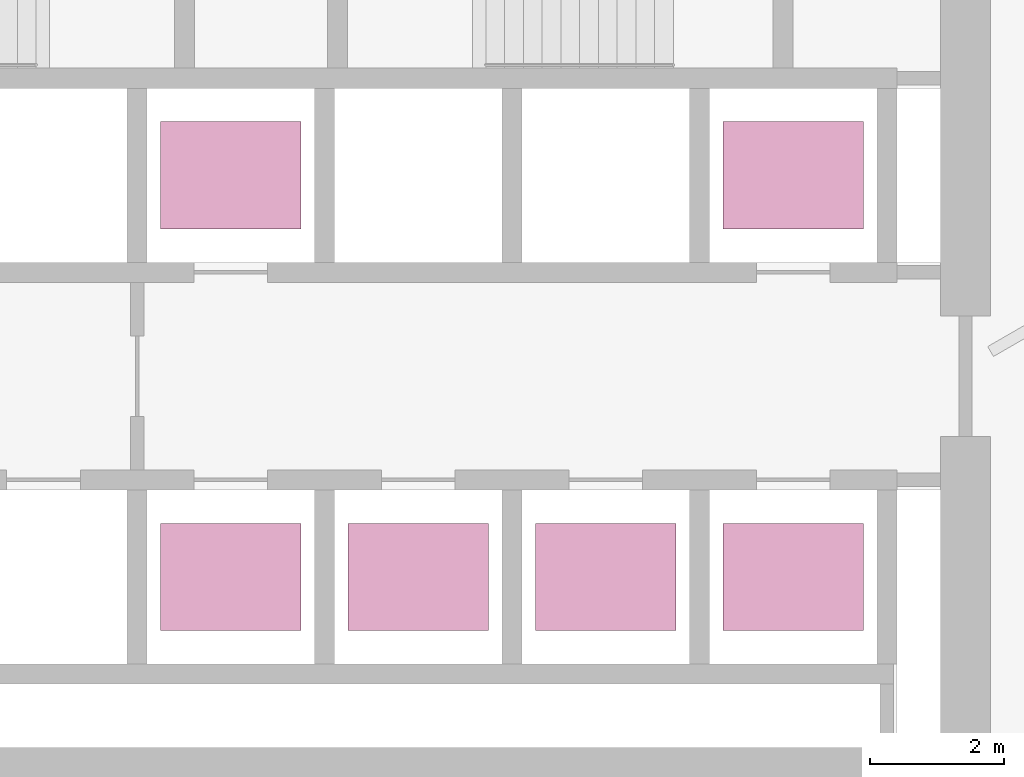
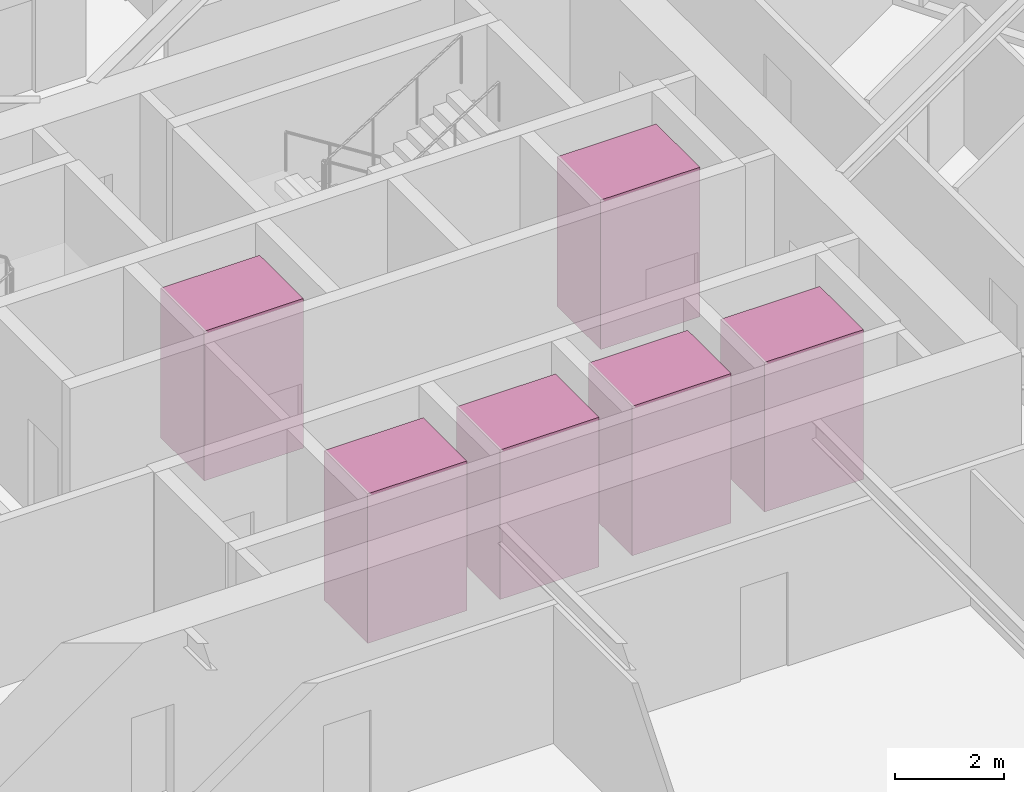
# One storey, part 17 of 18: 6 transport elements.
"""IFC4 building model written with IfcOpenShell, lengths in metres."""

import ifcopenshell
import ifcopenshell.guid

model = None  # the IFC model being written
_history = None  # IfcOwnerHistory: only IFC2X3 demands one
_inside = {}  # id of a spatial element -> (the spatial element, [elements in it])
_under = {}  # id of a project, library or spatial element -> (it, [spatial elements below it])
_declared = {}  # id of a project -> (the project, [libraries it declares])
_typed = {}  # id of a type object -> (the type object, [elements of that type])
_made_of = {}  # id of a material, layer set ... -> (it, [elements and type objects made of it])


def new_model(schema):
    """Start an empty IFC model of exactly this schema.

    Asked for "IFC4X3", IfcOpenShell would pick the latest addendum, in which some entities
    have other attributes; the version numbers below select the first issue.
    IFC2X3 requires an IfcOwnerHistory on every rooted entity: one is made here for all.
    """
    global model, _history
    if schema == "IFC4X3":
        model = ifcopenshell.file(schema_version=(4, 3, 0, 0))
    else:
        model = ifcopenshell.file(schema=schema)
    _inside.clear()
    _under.clear()
    _declared.clear()
    _typed.clear()
    _made_of.clear()
    _history = None
    if model.schema == "IFC2X3":
        org = make("IfcOrganization", Name="unknown")
        user = make(
            "IfcPersonAndOrganization",
            ThePerson=make("IfcPerson", FamilyName="unknown"),
            TheOrganization=org,
        )
        app = make(
            "IfcApplication",
            ApplicationDeveloper=org,
            Version="unknown",
            ApplicationFullName="unknown",
            ApplicationIdentifier="unknown",
        )
        _history = make(
            "IfcOwnerHistory",
            OwningUser=user,
            OwningApplication=app,
            ChangeAction="ADDED",
            CreationDate=0,
        )
    return model


def make(cls, **values):
    """One entity of the class cls with the attributes given. An attribute that is None is left unset."""
    return model.create_entity(
        cls, **{name: value for name, value in values.items() if value is not None}
    )


def rooted(cls, **values):
    """An entity with a GlobalId (a new one), such as an element, a storey or a relation."""
    return make(cls, GlobalId=ifcopenshell.guid.new(), OwnerHistory=_history, **values)


def si_unit(unit_type, name, prefix=None):
    """IfcSIUnit, for example si_unit("LENGTHUNIT", "METRE", prefix="MILLI")."""
    return make("IfcSIUnit", UnitType=unit_type, Prefix=prefix, Name=name)


def assignment(units):
    """IfcUnitAssignment: the units of a project."""
    return None if units is None else make("IfcUnitAssignment", Units=units)


def point(xyz):
    """IfcCartesianPoint."""
    return None if xyz is None else make("IfcCartesianPoint", Coordinates=xyz)


def direction(xyz):
    """IfcDirection."""
    return None if xyz is None else make("IfcDirection", DirectionRatios=xyz)


def frame(location, z_axis=None, x_axis=None):
    """IfcAxis2Placement3D, a coordinate frame: its origin and axes. An axis left out is left unset."""
    return make(
        "IfcAxis2Placement3D",
        Location=point(location),
        Axis=direction(z_axis),
        RefDirection=direction(x_axis),
    )


def frame_2d(location, x_axis=None):
    """IfcAxis2Placement2D, a coordinate frame in the plane: its origin and x axis."""
    return make(
        "IfcAxis2Placement2D", Location=point(location), RefDirection=direction(x_axis)
    )


def origin():
    """The frame at (0, 0, 0) with its axes left unset."""
    return frame((0.0, 0.0, 0.0))


def origin_2d():
    """The frame at (0, 0) in the plane with its x axis left unset."""
    return frame_2d((0.0, 0.0))


def place(relative_to, where):
    """IfcLocalPlacement: puts the frame where relative to a parent placement (None: the world)."""
    return make(
        "IfcLocalPlacement", PlacementRelTo=relative_to, RelativePlacement=where
    )


def context(
    kind, dimensions, precision=None, world=None, true_north=None, identifier=None
):
    """IfcGeometricRepresentationContext, for example the 3D "Model" context."""
    return make(
        "IfcGeometricRepresentationContext",
        ContextIdentifier=identifier,
        ContextType=kind,
        CoordinateSpaceDimension=dimensions,
        Precision=precision,
        WorldCoordinateSystem=world,
        TrueNorth=true_north,
    )


def subcontext(parent, identifier, kind, view, scale=None):
    """IfcGeometricRepresentationSubContext, for example "Body" below "Model"."""
    return make(
        "IfcGeometricRepresentationSubContext",
        ContextIdentifier=identifier,
        ContextType=kind,
        ParentContext=parent,
        TargetScale=scale,
        TargetView=view,
    )


def project(units=None, contexts=None):
    """IfcProject with its units and contexts."""
    return rooted(
        "IfcProject",
        Name="project",
        RepresentationContexts=contexts,
        UnitsInContext=assignment(units),
    )


def spatial(cls, under=None, at=None, **own):
    """A site, building, storey or space (cls), placed at a placement, below another one or the project."""
    s = rooted(cls, ObjectPlacement=at, **own)
    if under is not None:
        _under.setdefault(under.id(), (under, []))[1].append(s)
    return s


def profile(cls, at=None, kind="AREA", **sizes):
    """A parametric profile (cls). Its sizes go by their IFC names, for example OverallWidth=200.0."""
    return make(cls, ProfileType=kind, Position=at, **sizes)


def rectangle(**sizes):
    """IfcRectangleProfileDef."""
    return profile("IfcRectangleProfileDef", **sizes)


def extrude(swept, where, along, depth):
    """IfcExtrudedAreaSolid: the profile swept, set in the frame where, extruded along a direction by depth."""
    return make(
        "IfcExtrudedAreaSolid",
        SweptArea=swept,
        Position=where,
        ExtrudedDirection=direction(along),
        Depth=depth,
    )


def shape(context_of_items, identifier, shape_type, items):
    """IfcShapeRepresentation: the items that make up one representation, for example the "Body"."""
    return make(
        "IfcShapeRepresentation",
        ContextOfItems=context_of_items,
        RepresentationIdentifier=identifier,
        RepresentationType=shape_type,
        Items=items,
    )


def material(Name=None, Category=None):
    """IfcMaterial."""
    return make("IfcMaterial", Name=Name, Category=Category)


def made_of(thing, what):
    """Note that an element or type object is made of a material, layer set ...; save() writes the relation."""
    if what is not None:
        _made_of.setdefault(what.id(), (what, []))[1].append(thing)
    return thing


def type_object(cls, material=None, **own):
    """A type object (cls), such as IfcWallType, which elements share."""
    return made_of(rooted(cls, **own), material)


def element(
    cls,
    number,
    at=None,
    inside=None,
    cuts=None,
    type_object=None,
    material=None,
    context=None,
    identifier="Body",
    shape_type=None,
    held_by="IfcProductDefinitionShape",
    body=None,
    shapes=None,
    **own,
):
    """One element of the class cls, such as IfcWall. Its Tag is "e" and its number.

    at: its placement. inside: the storey or other place that contains it. cuts: it is an
    opening in that element (IfcRelVoidsElement). A single representation is given by context,
    identifier, shape_type and body (its items); several are given by shapes. held_by: the class
    of the entity that holds the representations. save() writes the other relations.
    """
    e = rooted(cls, Tag="e%d" % number, ObjectPlacement=at, **own)
    if body is not None:
        shapes = [shape(context, identifier, shape_type, body)]
    if shapes is not None:
        e.Representation = make(held_by, Representations=shapes)
    if inside is not None:
        _inside.setdefault(inside.id(), (inside, []))[1].append(e)
    if cuts is not None:
        rooted(
            "IfcRelVoidsElement", RelatingBuildingElement=cuts, RelatedOpeningElement=e
        )
    if type_object is not None:
        _typed.setdefault(type_object.id(), (type_object, []))[1].append(e)
    return made_of(e, material)


def aggregate(whole, parts):
    """IfcRelAggregates: a whole, such as a stair, and the parts it consists of."""
    return rooted("IfcRelAggregates", RelatingObject=whole, RelatedObjects=parts)


def save(model, path):
    """Write the relations noted so far, then the file.

    IfcRelAggregates (storeys below a building ...), IfcRelContainedInSpatialStructure (elements
    in a storey), IfcRelDefinesByType, IfcRelAssociatesMaterial and IfcRelDeclares: one each for
    every whole, place, type object, material and project.
    """
    for whole, parts in _under.values():
        aggregate(whole, parts)
    for where, things in _inside.values():
        rooted(
            "IfcRelContainedInSpatialStructure",
            RelatedElements=things,
            RelatingStructure=where,
        )
    for kind, things in _typed.values():
        rooted("IfcRelDefinesByType", RelatedObjects=things, RelatingType=kind)
    for what, things in _made_of.values():
        rooted("IfcRelAssociatesMaterial", RelatedObjects=things, RelatingMaterial=what)
    for by, libraries in _declared.values():
        rooted("IfcRelDeclares", RelatingContext=by, RelatedDefinitions=libraries)
    model.write(path)


model = new_model("IFC4")

# Units and contexts
model_context = context("Model", 3, precision=1e-05, world=origin(), true_north=direction((0.0, 1.0)))
body_context = subcontext(model_context, "Body", "Model", "MODEL_VIEW")
ifc_project = project(units=[si_unit("LENGTHUNIT", "METRE"), si_unit("AREAUNIT", "SQUARE_METRE"), si_unit("VOLUMEUNIT", "CUBIC_METRE"), si_unit("PLANEANGLEUNIT", "RADIAN"), si_unit("MASSUNIT", "GRAM", prefix="KILO")], contexts=[model_context])

# Site, building, storey
site_placement = place(None, origin())
site = spatial("IfcSite", under=ifc_project, at=site_placement, CompositionType="ELEMENT")
building_placement = place(site_placement, origin())
building = spatial("IfcBuilding", under=site, at=building_placement, Name="Firuza Gate Tower and Library", CompositionType="ELEMENT")
storey_placement = place(building_placement, frame((0.0, 0.0, 226.0)))
storey = spatial("IfcBuildingStorey", under=building, at=storey_placement, Name="L53", CompositionType="ELEMENT", Elevation=226.0)

# Transport elements
ifc_material = material(Name="Stainless steel and glass", Category="steel")
transport_element_type = type_object("IfcTransportElementType", Name="Mid-rise lift car 2100x1600", PredefinedType="ELEVATOR", material=ifc_material)
for number, where, z_axis, x_axis, name in (
    (1, (74.64990234375, 70.300048828125, 0.0), (0.0, 0.0, 1.0), (1.0, 0.0, 0.0), "Mid-rise lift MR1"),
    (2, (77.449951171875, 70.300048828125, 0.0), (0.0, 0.0, 1.0), (1.0, 0.0, 0.0), "Mid-rise lift MR2"),
    (3, (80.25, 70.300048828125, 0.0), (0.0, 0.0, 1.0), (1.0, 0.0, 0.0), "Mid-rise lift MR3"),
    (4, (74.64990234375, 76.300048828125, 0.0), (0.0, 0.0, 1.0), (1.0, 0.0, 0.0), "Mid-rise lift MR4"),
    (5, (83.050048828125, 70.300048828125, 0.0), (0.0, 0.0, 1.0), (1.0, 0.0, 0.0), "Mid-rise lift MR5"),
    (6, (83.050048828125, 76.300048828125, 0.0), (0.0, 0.0, 1.0), (1.0, 0.0, 0.0), "Mid-rise lift MR6"),
):
    element("IfcTransportElement", number, at=place(storey_placement, frame(where, z_axis=z_axis, x_axis=x_axis)), inside=storey, type_object=transport_element_type, Name=name, PredefinedType="ELEVATOR", context=body_context, shape_type="SweptSolid", body=[
        extrude(rectangle(XDim=2.10009765625, YDim=1.60009765625, at=origin_2d()), origin(), (0.0, 0.0, 1.0), 3.35009765625),
    ])

save(model, "model.ifc")
